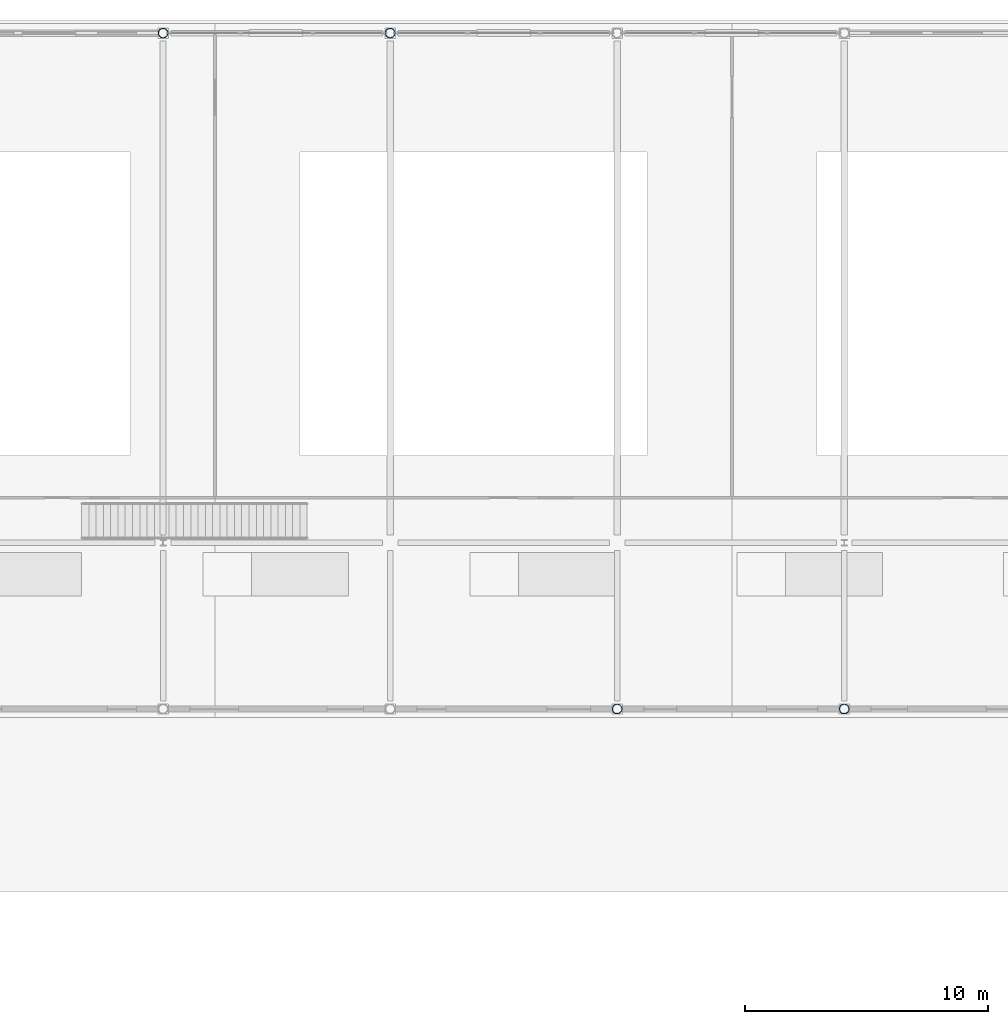
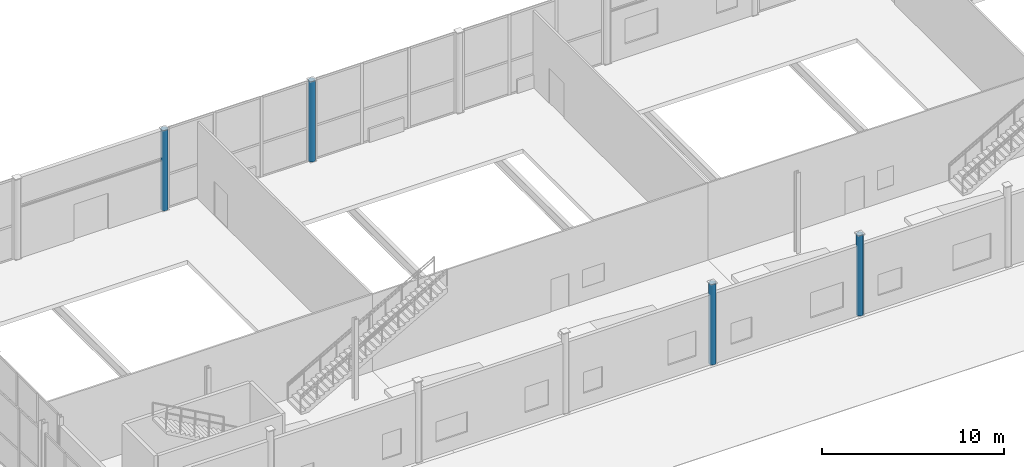
# One storey, part 6 of 83: 4 columns.
"""IFC4 building model written with IfcOpenShell, lengths in metres."""

from ifc_helpers import new_model, si_unit, direction, frame, origin, origin_2d, place, context, subcontext, project, spatial, hollow_circle, extrude, material, material_profile, profile_set, type_object, element, save


model = new_model("IFC4")

# Units and contexts
model_context = context("Model", 3, precision=1e-05, world=origin(), true_north=direction((0.0, 1.0)))
body_context = subcontext(model_context, "Body", "Model", "MODEL_VIEW")
ifc_project = project(units=[si_unit("LENGTHUNIT", "METRE"), si_unit("AREAUNIT", "SQUARE_METRE"), si_unit("VOLUMEUNIT", "CUBIC_METRE"), si_unit("PLANEANGLEUNIT", "RADIAN"), si_unit("MASSUNIT", "GRAM", prefix="KILO")], contexts=[model_context])

# Site, building, storey
site_placement = place(None, origin())
site = spatial("IfcSite", under=ifc_project, at=site_placement, CompositionType="ELEMENT")
building_placement = place(site_placement, origin())
building = spatial("IfcBuilding", under=site, at=building_placement, Name="Quillay Park Conservatory", CompositionType="ELEMENT")
storey_placement = place(building_placement, origin())
storey = spatial("IfcBuildingStorey", under=building, at=storey_placement, Name="L00", CompositionType="ELEMENT", Elevation=0.0)

# Columns
ifc_material = material(Name="Steel S355J2H", Category="steel")
ifc_material_profile = material_profile(ifc_material, hollow_circle(Radius=0.203125, WallThickness=0.01611328125, at=origin_2d()), Name="CHS406.4x16")
ifc_profile_set = profile_set([ifc_material_profile], Name="Steel S355J2H")
column_type = type_object("IfcColumnType", Name="COMPOSITE STEEL COLUMN CHS406", PredefinedType="COLUMN", material=ifc_profile_set)
for number, where, z_axis, x_axis, name in (
    (1, (49.361083984375, 113.39990234375, 0.0), (0.0, 0.0, 1.0), (1.0, 0.0, 0.0), "L00 column COL-V1-L00-2-1"),
    (2, (58.716796875, 113.39990234375, 0.0), (0.0, 0.0, 1.0), (1.0, 0.0, 0.0), "L00 column COL-V1-L00-3-1"),
    (3, (68.072265625, 85.550048828125, 0.0), (0.0, 0.0, 1.0), (1.0, 0.0, 0.0), "L00 column COL-V1-L00-4-0"),
    (4, (77.427734375, 85.550048828125, 0.0), (0.0, 0.0, 1.0), (1.0, 0.0, 0.0), "L00 column COL-V1-L00-5-0"),
):
    element("IfcColumn", number, at=place(storey_placement, frame(where, z_axis=z_axis, x_axis=x_axis)), inside=storey, type_object=column_type, Name=name, PredefinedType="COLUMN", context=body_context, shape_type="SweptSolid", body=[
        extrude(hollow_circle(Radius=0.203125, WallThickness=0.01611328125, at=origin_2d()), origin(), (0.0, 0.0, 1.0), 5.39990234375),
    ])

save(model, "model.ifc")
